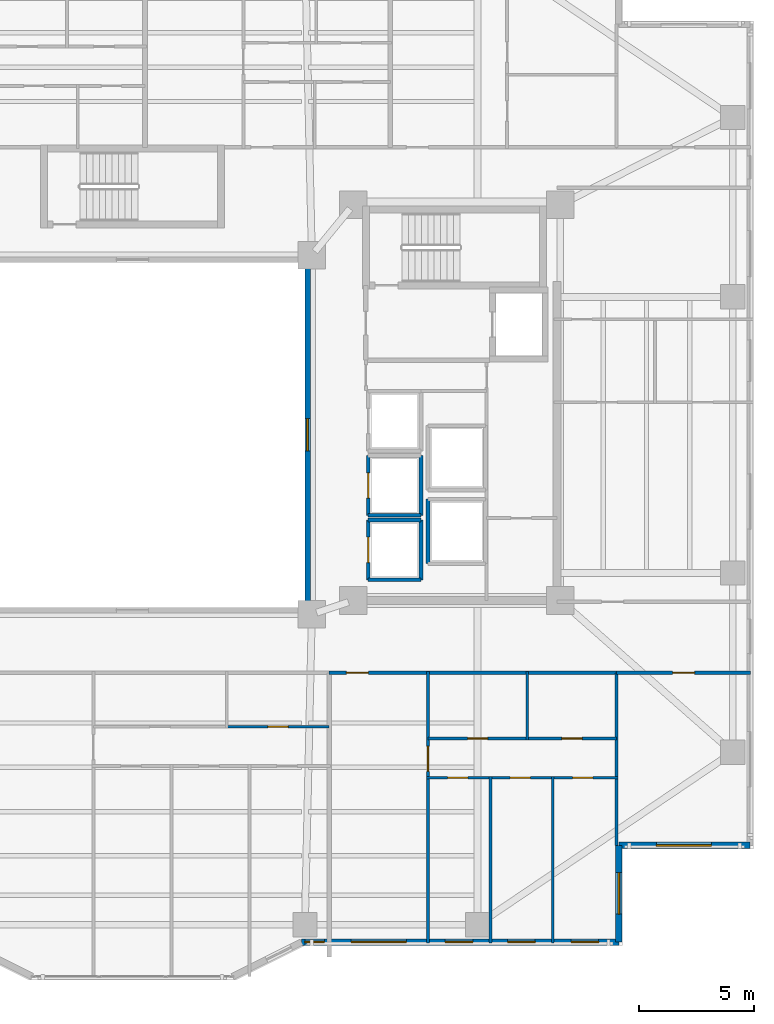
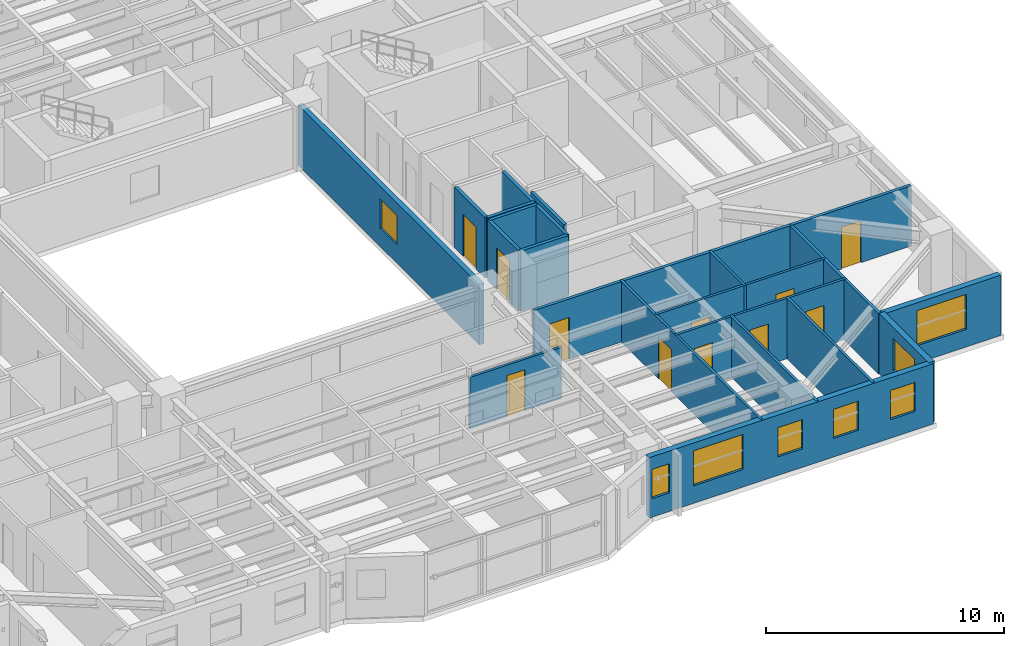
# One storey, part 8 of 19: 23 walls, 11 doors, 8 windows, 19 openings.
"""IFC4 building model written with IfcOpenShell, lengths in metres."""

from ifc_helpers import new_model, si_unit, direction, frame, frame_2d, origin, place, context, subcontext, project, spatial, rectangle, extrude, material, layer, layer_set, type_object, element, fill, save


model = new_model("IFC4")

# Units and contexts
model_context = context("Model", 3, precision=1e-05, world=origin(), true_north=direction((0.0, 1.0)))
body_context = subcontext(model_context, "Body", "Model", "MODEL_VIEW")
ifc_project = project(units=[si_unit("LENGTHUNIT", "METRE"), si_unit("AREAUNIT", "SQUARE_METRE"), si_unit("VOLUMEUNIT", "CUBIC_METRE"), si_unit("PLANEANGLEUNIT", "RADIAN"), si_unit("MASSUNIT", "GRAM", prefix="KILO")], contexts=[model_context])

# Site, building, storey
site_placement = place(None, origin())
site = spatial("IfcSite", under=ifc_project, at=site_placement, CompositionType="ELEMENT")
building_placement = place(site_placement, origin())
building = spatial("IfcBuilding", under=site, at=building_placement, Name="Tarnavaz Court Tower", CompositionType="ELEMENT")
storey_placement = place(building_placement, frame((0.0, 0.0, 81.64990234375)))
storey = spatial("IfcBuildingStorey", under=building, at=storey_placement, Name="L21", CompositionType="ELEMENT", Elevation=81.64990234375)

# Wall, opening, window
ifc_material_1 = material(Name="Precast Concrete C40/50", Category="concrete")
ifc_layer_1 = layer(ifc_material_1, 0.280029296875)
ifc_layer_set_1 = layer_set([ifc_layer_1], Name="Precast Concrete C40/50")
wall_type_1 = type_object("IfcWallType", Name="WL-EXT-280", PredefinedType="SOLIDWALL", material=ifc_layer_set_1)
wall_1_placement = place(storey_placement, frame((26.85009765625, -17.85009765625, 0.0), z_axis=(0.0, 0.0, 1.0), x_axis=(-1.0, 0.0, 0.0)))
wall_1 = element("IfcWall", 1, at=wall_1_placement, inside=storey, type_object=wall_type_1, Name="L21 Exterior Terracotta Facade Wall 13", PredefinedType="SOLIDWALL", context=body_context, shape_type="SweptSolid", body=[
    extrude(rectangle(XDim=5.7001953125, YDim=0.280029296875, at=frame_2d((2.85009765625, 0.0))), origin(), (0.0, 0.0, 1.0), 3.10009765625),
])
opening_1_placement = place(wall_1_placement, frame((1.675048828125, 0.0, 0.89990234375)))
opening_1 = element("IfcOpeningElement", 2, at=opening_1_placement, cuts=wall_1, Name="Opening W06", PredefinedType="OPENING", context=body_context, shape_type="SweptSolid", body=[
    extrude(rectangle(XDim=2.39990234375, YDim=1.800048828125, at=frame_2d((1.199951171875, 0.89990234375))), frame((0.0, 0.14990234375, 0.0), z_axis=(0.0, -1.0, 0.0), x_axis=(1.0, 0.0, 0.0)), (0.0, 0.0, 1.0), 0.300048828125),
])
ifc_material_2 = material(Name="Double-Glazed Solar Low-E Glass", Category="glass")
window_type_1 = type_object("IfcWindowType", Name="WN-APT-2400", PartitioningType="TRIPLE_PANEL_VERTICAL", PredefinedType="WINDOW", material=ifc_material_2)
window_1_placement = place(opening_1_placement, origin())
window_1 = element("IfcWindow", 3, at=window_1_placement, inside=storey, type_object=window_type_1, Name="L21 South-East Corner Reading Room Window", OverallHeight=1.800048828125, OverallWidth=2.39990234375, PartitioningType="SINGLE_PANEL", PredefinedType="WINDOW", context=body_context, shape_type="SweptSolid", body=[
    extrude(rectangle(XDim=2.39990234375, YDim=1.800048828125, at=frame_2d((1.199951171875, 0.89990234375))), frame((0.0, 0.030029296875, 0.0), z_axis=(0.0, -1.0, 0.0), x_axis=(1.0, 0.0, 0.0)), (0.0, 0.0, 1.0), 0.06005859375),
])
fill(opening_1, window_1)

wall_2_placement = place(storey_placement, frame((21.14990234375, -17.85009765625, 0.0), z_axis=(0.0, 0.0, 1.0), x_axis=(0.0, -1.0, 0.0)))
wall_2 = element("IfcWall", 4, at=wall_2_placement, inside=storey, type_object=wall_type_1, Name="L21 Exterior Terracotta Facade Wall 14", PredefinedType="SOLIDWALL", context=body_context, shape_type="SweptSolid", body=[
    extrude(rectangle(XDim=4.199951171875, YDim=0.280029296875, at=frame_2d((2.10009765625, 0.0))), origin(), (0.0, 0.0, 1.0), 3.10009765625),
])
opening_2_placement = place(wall_2_placement, frame((1.18212890625, 0.0, 0.89990234375)))
opening_2 = element("IfcOpeningElement", 5, at=opening_2_placement, cuts=wall_2, Name="Opening W01", PredefinedType="OPENING", context=body_context, shape_type="SweptSolid", body=[
    extrude(rectangle(XDim=1.800048828125, YDim=1.64990234375, at=frame_2d((0.89990234375, 0.824951171875))), frame((0.0, 0.14990234375, 0.0), z_axis=(0.0, -1.0, 0.0), x_axis=(1.0, 0.0, 0.0)), (0.0, 0.0, 1.0), 0.300048828125),
])
window_type_2 = type_object("IfcWindowType", Name="WN-APT-1800", PartitioningType="DOUBLE_PANEL_VERTICAL", PredefinedType="WINDOW", material=ifc_material_2)
window_2_placement = place(opening_2_placement, origin())
window_2 = element("IfcWindow", 6, at=window_2_placement, inside=storey, type_object=window_type_2, Name="L21 Flat 07 Bedroom 3 Window", OverallHeight=1.64990234375, OverallWidth=1.800048828125, PartitioningType="SINGLE_PANEL", PredefinedType="WINDOW", context=body_context, shape_type="SweptSolid", body=[
    extrude(rectangle(XDim=1.800048828125, YDim=1.64990234375, at=frame_2d((0.89990234375, 0.824951171875))), frame((0.0, 0.030029296875, 0.0), z_axis=(0.0, -1.0, 0.0), x_axis=(1.0, 0.0, 0.0)), (0.0, 0.0, 1.0), 0.06005859375),
])
fill(opening_2, window_2)

# Wall, openings, windows
wall_3_placement = place(storey_placement, frame((21.14990234375, -22.050048828125, 0.0), z_axis=(0.0, 0.0, 1.0), x_axis=(-1.0, 0.0, 0.0)))
wall_3 = element("IfcWall", 7, at=wall_3_placement, inside=storey, type_object=wall_type_1, Name="L21 Exterior Terracotta Facade Wall 15", PredefinedType="SOLIDWALL", context=body_context, shape_type="SweptSolid", body=[
    extrude(rectangle(XDim=13.7998046875, YDim=0.280029296875, at=frame_2d((6.89990234375, 0.0))), origin(), (0.0, 0.0, 1.0), 3.10009765625),
])
opening_3_placement = place(wall_3_placement, frame((0.88037109375, 0.0, 0.949951171875)))
opening_3 = element("IfcOpeningElement", 8, at=opening_3_placement, cuts=wall_3, Name="Opening W05", PredefinedType="OPENING", context=body_context, shape_type="SweptSolid", body=[
    extrude(rectangle(XDim=1.199951171875, YDim=1.5, at=frame_2d((0.60009765625, 0.75))), frame((0.0, 0.14990234375, 0.0), z_axis=(0.0, -1.0, 0.0), x_axis=(1.0, 0.0, 0.0)), (0.0, 0.0, 1.0), 0.300048828125),
])
opening_4_placement = place(wall_3_placement, frame((3.640380859375, 0.0, 0.949951171875)))
opening_4 = element("IfcOpeningElement", 9, at=opening_4_placement, cuts=wall_3, Name="Opening W05", PredefinedType="OPENING", context=body_context, shape_type="SweptSolid", body=[
    extrude(rectangle(XDim=1.199951171875, YDim=1.5, at=frame_2d((0.60009765625, 0.75))), frame((0.0, 0.14990234375, 0.0), z_axis=(0.0, -1.0, 0.0), x_axis=(1.0, 0.0, 0.0)), (0.0, 0.0, 1.0), 0.300048828125),
])
opening_5_placement = place(wall_3_placement, frame((6.35009765625, 0.0, 0.949951171875)))
opening_5 = element("IfcOpeningElement", 10, at=opening_5_placement, cuts=wall_3, Name="Opening W05", PredefinedType="OPENING", context=body_context, shape_type="SweptSolid", body=[
    extrude(rectangle(XDim=1.199951171875, YDim=1.5, at=frame_2d((0.60009765625, 0.75))), frame((0.0, 0.14990234375, 0.0), z_axis=(0.0, -1.0, 0.0), x_axis=(1.0, 0.0, 0.0)), (0.0, 0.0, 1.0), 0.300048828125),
])
opening_6_placement = place(wall_3_placement, frame((9.23779296875, 0.0, 0.89990234375)))
opening_6 = element("IfcOpeningElement", 11, at=opening_6_placement, cuts=wall_3, Name="Opening W06", PredefinedType="OPENING", context=body_context, shape_type="SweptSolid", body=[
    extrude(rectangle(XDim=2.39990234375, YDim=1.800048828125, at=frame_2d((1.199951171875, 0.89990234375))), frame((0.0, 0.14990234375, 0.0), z_axis=(0.0, -1.0, 0.0), x_axis=(1.0, 0.0, 0.0)), (0.0, 0.0, 1.0), 0.300048828125),
])
opening_7_placement = place(wall_3_placement, frame((12.802978515625, 0.0, 0.949951171875)))
opening_7 = element("IfcOpeningElement", 12, at=opening_7_placement, cuts=wall_3, Name="Opening W15", PredefinedType="OPENING", context=body_context, shape_type="SweptSolid", body=[
    extrude(rectangle(XDim=0.85009765625, YDim=1.5, at=frame_2d((0.425048828125, 0.75))), frame((0.0, 0.14990234375, 0.0), z_axis=(0.0, -1.0, 0.0), x_axis=(1.0, 0.0, 0.0)), (0.0, 0.0, 1.0), 0.300048828125),
])
window_type_3 = type_object("IfcWindowType", Name="WN-APT-1200", PartitioningType="SINGLE_PANEL", PredefinedType="WINDOW", material=ifc_material_2)
window_3_placement = place(opening_3_placement, origin())
window_3 = element("IfcWindow", 13, at=window_3_placement, inside=storey, type_object=window_type_3, Name="L21 Flat 07 Bedroom 3 Window", OverallHeight=1.5, OverallWidth=1.199951171875, PartitioningType="SINGLE_PANEL", PredefinedType="WINDOW", context=body_context, shape_type="SweptSolid", body=[
    extrude(rectangle(XDim=1.199951171875, YDim=1.5, at=frame_2d((0.60009765625, 0.75))), frame((0.0, 0.030029296875, 0.0), z_axis=(0.0, -1.0, 0.0), x_axis=(1.0, 0.0, 0.0)), (0.0, 0.0, 1.0), 0.06005859375),
])
fill(opening_3, window_3)
window_4_placement = place(opening_4_placement, origin())
window_4 = element("IfcWindow", 14, at=window_4_placement, inside=storey, type_object=window_type_3, Name="L21 Flat 07 Bedroom 2 Window", OverallHeight=1.5, OverallWidth=1.199951171875, PartitioningType="SINGLE_PANEL", PredefinedType="WINDOW", context=body_context, shape_type="SweptSolid", body=[
    extrude(rectangle(XDim=1.199951171875, YDim=1.5, at=frame_2d((0.60009765625, 0.75))), frame((0.0, 0.030029296875, 0.0), z_axis=(0.0, -1.0, 0.0), x_axis=(1.0, 0.0, 0.0)), (0.0, 0.0, 1.0), 0.06005859375),
])
fill(opening_4, window_4)
window_5_placement = place(opening_5_placement, origin())
window_5 = element("IfcWindow", 15, at=window_5_placement, inside=storey, type_object=window_type_3, Name="L21 Flat 07 Principal Bedroom Window", OverallHeight=1.5, OverallWidth=1.199951171875, PartitioningType="SINGLE_PANEL", PredefinedType="WINDOW", context=body_context, shape_type="SweptSolid", body=[
    extrude(rectangle(XDim=1.199951171875, YDim=1.5, at=frame_2d((0.60009765625, 0.75))), frame((0.0, 0.030029296875, 0.0), z_axis=(0.0, -1.0, 0.0), x_axis=(1.0, 0.0, 0.0)), (0.0, 0.0, 1.0), 0.06005859375),
])
fill(opening_5, window_5)
window_6_placement = place(opening_6_placement, origin())
window_6 = element("IfcWindow", 16, at=window_6_placement, inside=storey, type_object=window_type_1, Name="L21 Flat 07 Living and Dining Room Window", OverallHeight=1.800048828125, OverallWidth=2.39990234375, PartitioningType="SINGLE_PANEL", PredefinedType="WINDOW", context=body_context, shape_type="SweptSolid", body=[
    extrude(rectangle(XDim=2.39990234375, YDim=1.800048828125, at=frame_2d((1.199951171875, 0.89990234375))), frame((0.0, 0.030029296875, 0.0), z_axis=(0.0, -1.0, 0.0), x_axis=(1.0, 0.0, 0.0)), (0.0, 0.0, 1.0), 0.06005859375),
])
fill(opening_6, window_6)
window_type_4 = type_object("IfcWindowType", Name="WN-APT-850", PartitioningType="SINGLE_PANEL", PredefinedType="WINDOW", material=ifc_material_2)
window_7_placement = place(opening_7_placement, origin())
window_7 = element("IfcWindow", 17, at=window_7_placement, inside=storey, type_object=window_type_4, Name="L21 Flat 08 Bedroom 3 Window", OverallHeight=1.5, OverallWidth=0.85009765625, PartitioningType="SINGLE_PANEL", PredefinedType="WINDOW", context=body_context, shape_type="SweptSolid", body=[
    extrude(rectangle(XDim=0.85009765625, YDim=1.5, at=frame_2d((0.425048828125, 0.75))), frame((0.0, 0.030029296875, 0.0), z_axis=(0.0, -1.0, 0.0), x_axis=(1.0, 0.0, 0.0)), (0.0, 0.0, 1.0), 0.06005859375),
])
fill(opening_7, window_7)

# Wall, opening, door
ifc_material_3 = material(Name="Gypsum Fire-Board on Acoustic Metal Stud", Category="masonry")
ifc_layer_2 = layer(ifc_material_3, 0.14990234375)
ifc_layer_set_2 = layer_set([ifc_layer_2], Name="Gypsum Fire-Board on Acoustic Metal Stud")
wall_type_2 = type_object("IfcWallType", Name="WL-FIRE-150", PredefinedType="PARTITIONING", material=ifc_layer_set_2)
wall_4_placement = place(storey_placement, frame((8.550048828125, -10.35009765625, 0.0), z_axis=(0.0, 0.0, 1.0), x_axis=(1.0, 0.0, 0.0)))
wall_4 = element("IfcWall", 18, at=wall_4_placement, inside=storey, type_object=wall_type_2, Name="L21 SE Horseshoe Wall 074", PredefinedType="PARTITIONING", context=body_context, shape_type="SweptSolid", body=[
    extrude(rectangle(XDim=12.5, YDim=0.14990234375, at=frame_2d((6.25, 0.0))), origin(), (0.0, 0.0, 1.0), 3.10009765625),
])
opening_8_placement = place(wall_4_placement, frame((0.75, 0.0, 0.0)))
opening_8 = element("IfcOpeningElement", 19, at=opening_8_placement, cuts=wall_4, Name="Opening D06", PredefinedType="OPENING", context=body_context, shape_type="SweptSolid", body=[
    extrude(rectangle(XDim=0.9599609375, YDim=2.14990234375, at=frame_2d((0.47998046875, 1.074951171875))), frame((0.0, 0.0849609375, 0.0), z_axis=(0.0, -1.0, 0.0), x_axis=(1.0, 0.0, 0.0)), (0.0, 0.0, 1.0), 0.169921875),
])
ifc_material_4 = material(Name="Fire-Rated Hardwood Timber Core", Category="wood")
door_type_1 = type_object("IfcDoorType", Name="DR-FD60-950", OperationType="NOTDEFINED", PredefinedType="DOOR", material=ifc_material_4)
door_1_placement = place(opening_8_placement, origin())
door_1 = element("IfcDoor", 20, at=door_1_placement, inside=storey, type_object=door_type_1, Name="L21 Flat 07 Entrance Door", OperationType="SINGLE_SWING_LEFT", OverallHeight=2.14990234375, OverallWidth=0.9599609375, PredefinedType="DOOR", context=body_context, shape_type="SweptSolid", body=[
    extrude(rectangle(XDim=0.9599609375, YDim=2.14990234375, at=frame_2d((0.47998046875, 1.074951171875))), frame((0.0, 0.02490234375, 0.0), z_axis=(0.0, -1.0, 0.0), x_axis=(1.0, 0.0, 0.0)), (0.0, 0.0, 1.0), 0.050048828125),
])
fill(opening_8, door_1)

wall_5_placement = place(storey_placement, frame((21.050048828125, -10.35009765625, 0.0), z_axis=(0.0, 0.0, 1.0), x_axis=(1.0, 0.0, 0.0)))
wall_5 = element("IfcWall", 21, at=wall_5_placement, inside=storey, type_object=wall_type_2, Name="L21 Interior Partition 133", PredefinedType="PARTITIONING", context=body_context, shape_type="SweptSolid", body=[
    extrude(rectangle(XDim=5.829833984375, YDim=0.14990234375, at=frame_2d((2.9150390625, 0.0))), origin(), (0.0, 0.0, 1.0), 3.10009765625),
])
opening_9_placement = place(wall_5_placement, frame((2.43994140625, 0.0, 0.0)))
opening_9 = element("IfcOpeningElement", 22, at=opening_9_placement, cuts=wall_5, Name="Opening D13", PredefinedType="OPENING", context=body_context, shape_type="SweptSolid", body=[
    extrude(rectangle(XDim=0.949951171875, YDim=2.14990234375, at=frame_2d((0.47509765625, 1.074951171875))), frame((0.0, 0.0849609375, 0.0), z_axis=(0.0, -1.0, 0.0), x_axis=(1.0, 0.0, 0.0)), (0.0, 0.0, 1.0), 0.169921875),
])
ifc_material_5 = material(Name="Engineered Oak Timber", Category="wood")
door_type_2 = type_object("IfcDoorType", Name="DR-INT-950", OperationType="NOTDEFINED", PredefinedType="DOOR", material=ifc_material_5)
door_2_placement = place(opening_9_placement, origin())
door_2 = element("IfcDoor", 23, at=door_2_placement, inside=storey, type_object=door_type_2, Name="L21 SE Reading Room Door", OperationType="SINGLE_SWING_RIGHT", OverallHeight=2.14990234375, OverallWidth=0.949951171875, PredefinedType="DOOR", context=body_context, shape_type="SweptSolid", body=[
    extrude(rectangle(XDim=0.949951171875, YDim=2.14990234375, at=frame_2d((0.47509765625, 1.074951171875))), frame((0.0, 0.02490234375, 0.0), z_axis=(0.0, -1.0, 0.0), x_axis=(1.0, 0.0, 0.0)), (0.0, 0.0, 1.0), 0.050048828125),
])
fill(opening_9, door_2)

ifc_material_6 = material(Name="Moisture-Resistant Gypsum Board Partition", Category="masonry")
ifc_layer_3 = layer(ifc_material_6, 0.1201171875)
ifc_layer_set_3 = layer_set([ifc_layer_3], Name="Moisture-Resistant Gypsum Board Partition")
wall_type_3 = type_object("IfcWallType", Name="WL-PART-120", PredefinedType="PARTITIONING", material=ifc_layer_set_3)
wall_6_placement = place(storey_placement, frame((12.85205078125, -22.10009765625, 0.0), z_axis=(0.0, 0.0, 1.0), x_axis=(0.0, 1.0, 0.0)))
wall_6 = element("IfcWall", 24, at=wall_6_placement, inside=storey, type_object=wall_type_3, Name="L21 Interior Partition 105", PredefinedType="PARTITIONING", context=body_context, shape_type="SweptSolid", body=[
    extrude(rectangle(XDim=11.81005859375, YDim=0.1201171875, at=frame_2d((5.905029296875, 0.0))), origin(), (0.0, 0.0, 1.0), 3.10009765625),
])
opening_10_placement = place(wall_6_placement, frame((7.47509765625, 0.0, 0.0)))
opening_10 = element("IfcOpeningElement", 25, at=opening_10_placement, cuts=wall_6, Name="Opening D12", PredefinedType="OPENING", context=body_context, shape_type="SweptSolid", body=[
    extrude(rectangle(XDim=1.080078125, YDim=2.14990234375, at=frame_2d((0.5400390625, 1.074951171875))), frame((0.0, 0.070068359375, 0.0), z_axis=(0.0, -1.0, 0.0), x_axis=(1.0, 0.0, 0.0)), (0.0, 0.0, 1.0), 0.14013671875),
])
door_type_3 = type_object("IfcDoorType", Name="DR-INT-1100", OperationType="NOTDEFINED", PredefinedType="DOOR", material=ifc_material_5)
door_3_placement = place(opening_10_placement, origin())
door_3 = element("IfcDoor", 26, at=door_3_placement, inside=storey, type_object=door_type_3, Name="L21 Flat 07 Foyer Door", OperationType="SINGLE_SWING_RIGHT", OverallHeight=2.14990234375, OverallWidth=1.080078125, PredefinedType="DOOR", context=body_context, shape_type="SweptSolid", body=[
    extrude(rectangle(XDim=1.080078125, YDim=2.14990234375, at=frame_2d((0.5400390625, 1.074951171875))), frame((0.0, 0.02490234375, 0.0), z_axis=(0.0, -1.0, 0.0), x_axis=(1.0, 0.0, 0.0)), (0.0, 0.0, 1.0), 0.050048828125),
])
fill(opening_10, door_3)

wall_7_placement = place(storey_placement, frame((12.85205078125, -13.199951171875, 0.0), z_axis=(0.0, 0.0, 1.0), x_axis=(1.0, 0.0, 0.0)))
wall_7 = element("IfcWall", 27, at=wall_7_placement, inside=storey, type_object=wall_type_3, Name="L21 Interior Partition 106", PredefinedType="PARTITIONING", context=body_context, shape_type="SweptSolid", body=[
    extrude(rectangle(XDim=4.31298828125, YDim=0.1201171875, at=frame_2d((2.156494140625, 0.0))), origin(), (0.0, 0.0, 1.0), 3.10009765625),
])
opening_11_placement = place(wall_7_placement, frame((1.716064453125, 0.0, 0.0)))
opening_11 = element("IfcOpeningElement", 28, at=opening_11_placement, cuts=wall_7, Name="Opening D14", PredefinedType="OPENING", context=body_context, shape_type="SweptSolid", body=[
    extrude(rectangle(XDim=0.8798828125, YDim=2.10009765625, at=frame_2d((0.43994140625, 1.050048828125))), frame((0.0, 0.070068359375, 0.0), z_axis=(0.0, -1.0, 0.0), x_axis=(1.0, 0.0, 0.0)), (0.0, 0.0, 1.0), 0.14013671875),
])
door_type_4 = type_object("IfcDoorType", Name="DR-INT-900", OperationType="NOTDEFINED", PredefinedType="DOOR", material=ifc_material_5)
door_4_placement = place(opening_11_placement, origin())
door_4 = element("IfcDoor", 29, at=door_4_placement, inside=storey, type_object=door_type_4, Name="L21 Flat 07 Kitchen Door", OperationType="SINGLE_SWING_LEFT", OverallHeight=2.10009765625, OverallWidth=0.8798828125, PredefinedType="DOOR", context=body_context, shape_type="SweptSolid", body=[
    extrude(rectangle(XDim=0.8798828125, YDim=2.10009765625, at=frame_2d((0.43994140625, 1.050048828125))), frame((0.0, 0.02490234375, 0.0), z_axis=(0.0, -1.0, 0.0), x_axis=(1.0, 0.0, 0.0)), (0.0, 0.0, 1.0), 0.050048828125),
])
fill(opening_11, door_4)

wall_8_placement = place(storey_placement, frame((17.1650390625, -13.199951171875, 0.0), z_axis=(0.0, 0.0, 1.0), x_axis=(1.0, 0.0, 0.0)))
wall_8 = element("IfcWall", 30, at=wall_8_placement, inside=storey, type_object=wall_type_3, Name="L21 Interior Partition 107", PredefinedType="PARTITIONING", context=body_context, shape_type="SweptSolid", body=[
    extrude(rectangle(XDim=3.885009765625, YDim=0.1201171875, at=frame_2d((1.9423828125, 0.0))), origin(), (0.0, 0.0, 1.0), 3.10009765625),
])
opening_12_placement = place(wall_8_placement, frame((1.5029296875, 0.0, 0.0)))
opening_12 = element("IfcOpeningElement", 31, at=opening_12_placement, cuts=wall_8, Name="Opening D14", PredefinedType="OPENING", context=body_context, shape_type="SweptSolid", body=[
    extrude(rectangle(XDim=0.8798828125, YDim=2.10009765625, at=frame_2d((0.43994140625, 1.050048828125))), frame((0.0, 0.070068359375, 0.0), z_axis=(0.0, -1.0, 0.0), x_axis=(1.0, 0.0, 0.0)), (0.0, 0.0, 1.0), 0.14013671875),
])
door_5_placement = place(opening_12_placement, origin())
door_5 = element("IfcDoor", 32, at=door_5_placement, inside=storey, type_object=door_type_4, Name="L21 Flat 07 Bathroom Door", OperationType="SINGLE_SWING_RIGHT", OverallHeight=2.10009765625, OverallWidth=0.8798828125, PredefinedType="DOOR", context=body_context, shape_type="SweptSolid", body=[
    extrude(rectangle(XDim=0.8798828125, YDim=2.10009765625, at=frame_2d((0.43994140625, 1.050048828125))), frame((0.0, 0.02490234375, 0.0), z_axis=(0.0, -1.0, 0.0), x_axis=(1.0, 0.0, 0.0)), (0.0, 0.0, 1.0), 0.050048828125),
])
fill(opening_12, door_5)

# Wall, openings, doors
wall_9_placement = place(storey_placement, frame((12.7919921875, -14.909912109375, 0.0), z_axis=(0.0, 0.0, 1.0), x_axis=(1.0, 0.0, 0.0)))
wall_9 = element("IfcWall", 33, at=wall_9_placement, inside=storey, type_object=wall_type_3, Name="L21 Interior Partition 108", PredefinedType="PARTITIONING", context=body_context, shape_type="SweptSolid", body=[
    extrude(rectangle(XDim=8.318115234375, YDim=0.1201171875, at=frame_2d((4.1591796875, 0.0))), origin(), (0.0, 0.0, 1.0), 3.10009765625),
])
opening_13_placement = place(wall_9_placement, frame((0.916015625, 0.0, 0.0)))
opening_13 = element("IfcOpeningElement", 34, at=opening_13_placement, cuts=wall_9, Name="Opening D14", PredefinedType="OPENING", context=body_context, shape_type="SweptSolid", body=[
    extrude(rectangle(XDim=0.8798828125, YDim=2.10009765625, at=frame_2d((0.43994140625, 1.050048828125))), frame((0.0, 0.070068359375, 0.0), z_axis=(0.0, -1.0, 0.0), x_axis=(1.0, 0.0, 0.0)), (0.0, 0.0, 1.0), 0.14013671875),
])
opening_14_placement = place(wall_9_placement, frame((3.62890625, 0.0, 0.0)))
opening_14 = element("IfcOpeningElement", 35, at=opening_14_placement, cuts=wall_9, Name="Opening D14", PredefinedType="OPENING", context=body_context, shape_type="SweptSolid", body=[
    extrude(rectangle(XDim=0.8798828125, YDim=2.10009765625, at=frame_2d((0.43994140625, 1.050048828125))), frame((0.0, 0.070068359375, 0.0), z_axis=(0.0, -1.0, 0.0), x_axis=(1.0, 0.0, 0.0)), (0.0, 0.0, 1.0), 0.14013671875),
])
opening_15_placement = place(wall_9_placement, frame((6.342041015625, 0.0, 0.0)))
opening_15 = element("IfcOpeningElement", 36, at=opening_15_placement, cuts=wall_9, Name="Opening D14", PredefinedType="OPENING", context=body_context, shape_type="SweptSolid", body=[
    extrude(rectangle(XDim=0.8798828125, YDim=2.10009765625, at=frame_2d((0.43994140625, 1.050048828125))), frame((0.0, 0.070068359375, 0.0), z_axis=(0.0, -1.0, 0.0), x_axis=(1.0, 0.0, 0.0)), (0.0, 0.0, 1.0), 0.14013671875),
])
door_6_placement = place(opening_13_placement, origin())
door_6 = element("IfcDoor", 37, at=door_6_placement, inside=storey, type_object=door_type_4, Name="L21 Flat 07 Bedroom 1 Door", OperationType="SINGLE_SWING_LEFT", OverallHeight=2.10009765625, OverallWidth=0.8798828125, PredefinedType="DOOR", context=body_context, shape_type="SweptSolid", body=[
    extrude(rectangle(XDim=0.8798828125, YDim=2.10009765625, at=frame_2d((0.43994140625, 1.050048828125))), frame((0.0, 0.02490234375, 0.0), z_axis=(0.0, -1.0, 0.0), x_axis=(1.0, 0.0, 0.0)), (0.0, 0.0, 1.0), 0.050048828125),
])
fill(opening_13, door_6)
door_7_placement = place(opening_14_placement, origin())
door_7 = element("IfcDoor", 38, at=door_7_placement, inside=storey, type_object=door_type_4, Name="L21 Flat 07 Bedroom 2 Door", OperationType="SINGLE_SWING_RIGHT", OverallHeight=2.10009765625, OverallWidth=0.8798828125, PredefinedType="DOOR", context=body_context, shape_type="SweptSolid", body=[
    extrude(rectangle(XDim=0.8798828125, YDim=2.10009765625, at=frame_2d((0.43994140625, 1.050048828125))), frame((0.0, 0.02490234375, 0.0), z_axis=(0.0, -1.0, 0.0), x_axis=(1.0, 0.0, 0.0)), (0.0, 0.0, 1.0), 0.050048828125),
])
fill(opening_14, door_7)
door_8_placement = place(opening_15_placement, origin())
door_8 = element("IfcDoor", 39, at=door_8_placement, inside=storey, type_object=door_type_4, Name="L21 Flat 07 Bedroom 3 Door", OperationType="SINGLE_SWING_LEFT", OverallHeight=2.10009765625, OverallWidth=0.8798828125, PredefinedType="DOOR", context=body_context, shape_type="SweptSolid", body=[
    extrude(rectangle(XDim=0.8798828125, YDim=2.10009765625, at=frame_2d((0.43994140625, 1.050048828125))), frame((0.0, 0.02490234375, 0.0), z_axis=(0.0, -1.0, 0.0), x_axis=(1.0, 0.0, 0.0)), (0.0, 0.0, 1.0), 0.050048828125),
])
fill(opening_15, door_8)

# Walls
wall_10_placement = place(storey_placement, frame((17.1650390625, -13.260009765625, 0.0), z_axis=(0.0, 0.0, 1.0), x_axis=(0.0, 1.0, 0.0)))
element("IfcWall", 40, at=wall_10_placement, inside=storey, type_object=wall_type_3, Name="L21 Interior Partition 109", PredefinedType="PARTITIONING", context=body_context, shape_type="SweptSolid", body=[
    extrude(rectangle(XDim=2.969970703125, YDim=0.1201171875, at=frame_2d((1.48486328125, 0.0))), origin(), (0.0, 0.0, 1.0), 3.10009765625),
])
for number, where, z_axis, x_axis, name in (
    (41, (15.56494140625, -22.10009765625, 0.0), (0.0, 0.0, 1.0), (0.0, 1.0, 0.0), "L21 Interior Partition 110"),
    (42, (18.277099609375, -22.10009765625, 0.0), (0.0, 0.0, 1.0), (0.0, 1.0, 0.0), "L21 Interior Partition 111"),
):
    element("IfcWall", number, at=place(storey_placement, frame(where, z_axis=z_axis, x_axis=x_axis)), inside=storey, type_object=wall_type_3, Name=name, PredefinedType="PARTITIONING", context=body_context, shape_type="SweptSolid", body=[
        extrude(rectangle(XDim=7.25, YDim=0.1201171875, at=frame_2d((3.625, 0.0))), origin(), (0.0, 0.0, 1.0), 3.10009765625),
    ])

# Wall, opening, door
wall_11_placement = place(storey_placement, frame((4.10400390625, -12.68994140625, 0.0), z_axis=(0.0, 0.0, 1.0), x_axis=(1.0, 0.0, 0.0)))
wall_11 = element("IfcWall", 43, at=wall_11_placement, inside=storey, type_object=wall_type_3, Name="L21 Interior Partition 117", PredefinedType="PARTITIONING", context=body_context, shape_type="SweptSolid", body=[
    extrude(rectangle(XDim=4.446044921875, YDim=0.1201171875, at=frame_2d((2.22314453125, 0.0))), origin(), (0.0, 0.0, 1.0), 2.635009765625),
])
opening_16_placement = place(wall_11_placement, frame((1.782958984375, 0.0, 0.0)))
opening_16 = element("IfcOpeningElement", 44, at=opening_16_placement, cuts=wall_11, Name="Opening D14", PredefinedType="OPENING", context=body_context, shape_type="SweptSolid", body=[
    extrude(rectangle(XDim=0.8798828125, YDim=2.10009765625, at=frame_2d((0.43994140625, 1.050048828125))), frame((0.0, 0.070068359375, 0.0), z_axis=(0.0, -1.0, 0.0), x_axis=(1.0, 0.0, 0.0)), (0.0, 0.0, 1.0), 0.14013671875),
])
door_9_placement = place(opening_16_placement, origin())
door_9 = element("IfcDoor", 45, at=door_9_placement, inside=storey, type_object=door_type_4, Name="L21 Flat 08 Bathroom Door", OperationType="SINGLE_SWING_LEFT", OverallHeight=2.10009765625, OverallWidth=0.8798828125, PredefinedType="DOOR", context=body_context, shape_type="SweptSolid", body=[
    extrude(rectangle(XDim=0.8798828125, YDim=2.10009765625, at=frame_2d((0.43994140625, 1.050048828125))), frame((0.0, 0.02490234375, 0.0), z_axis=(0.0, -1.0, 0.0), x_axis=(1.0, 0.0, 0.0)), (0.0, 0.0, 1.0), 0.050048828125),
])
fill(opening_16, door_9)

# Wall
ifc_material_7 = material(Name="Gypsum Plasterboard Acoustic Partition", Category="masonry")
ifc_layer_4 = layer(ifc_material_7, 0.139892578125)
ifc_layer_set_4 = layer_set([ifc_layer_4], Name="Gypsum Plasterboard Acoustic Partition")
wall_type_4 = type_object("IfcWallType", Name="WL-PART-150", PredefinedType="PARTITIONING", material=ifc_layer_set_4)
wall_12_placement = place(storey_placement, frame((21.050048828125, -17.85009765625, 0.0), z_axis=(0.0, 0.0, 1.0), x_axis=(0.0, 1.0, 0.0)))
element("IfcWall", 46, at=wall_12_placement, inside=storey, type_object=wall_type_4, Name="L21 Interior Partition 127", PredefinedType="PARTITIONING", context=body_context, shape_type="SweptSolid", body=[
    extrude(rectangle(XDim=7.5, YDim=0.139892578125, at=frame_2d((3.75, 0.0))), origin(), (0.0, 0.0, 1.0), 3.10009765625),
])

# Wall, opening, door
ifc_material_8 = material(Name="Autoclaved Aerated Concrete Blockwork", Category="masonry")
ifc_layer_5 = layer(ifc_material_8, 0.159912109375)
ifc_layer_set_5 = layer_set([ifc_layer_5], Name="Autoclaved Aerated Concrete Blockwork")
wall_type_5 = type_object("IfcWallType", Name="WL-SHAFT-150", PredefinedType="SOLIDWALL", material=ifc_layer_set_5)
wall_13_placement = place(storey_placement, frame((10.25, -6.300048828125, 0.0), z_axis=(0.0, 0.0, 1.0), x_axis=(0.0, 1.0, 0.0)))
wall_13 = element("IfcWall", 47, at=wall_13_placement, inside=storey, type_object=wall_type_5, Name="L21 Lift PL-M1 Shaft Wall 037", PredefinedType="SOLIDWALL", context=body_context, shape_type="SweptSolid", body=[
    extrude(rectangle(XDim=2.60009765625, YDim=0.159912109375, at=frame_2d((1.300048828125, 0.0))), origin(), (0.0, 0.0, 1.0), 3.10009765625),
])
opening_17_placement = place(wall_13_placement, frame((0.75, 0.0, 0.0)))
opening_17 = element("IfcOpeningElement", 48, at=opening_17_placement, cuts=wall_13, Name="Opening LD1", PredefinedType="OPENING", context=body_context, shape_type="SweptSolid", body=[
    extrude(rectangle(XDim=1.10009765625, YDim=2.14990234375, at=frame_2d((0.550048828125, 1.074951171875))), frame((0.0, 0.08984375, 0.0), z_axis=(0.0, -1.0, 0.0), x_axis=(1.0, 0.0, 0.0)), (0.0, 0.0, 1.0), 0.179931640625),
])
ifc_material_9 = material(Name="Stainless Steel", Category="steel")
door_type_5 = type_object("IfcDoorType", Name="DR-LD-1100", OperationType="NOTDEFINED", PredefinedType="DOOR", material=ifc_material_9)
door_10_placement = place(opening_17_placement, origin())
door_10 = element("IfcDoor", 49, at=door_10_placement, inside=storey, type_object=door_type_5, Name="L21 Lift Landing Door LD-PL-M1", OperationType="SLIDING_TO_LEFT", OverallHeight=2.14990234375, OverallWidth=1.10009765625, PredefinedType="DOOR", context=body_context, shape_type="SweptSolid", body=[
    extrude(rectangle(XDim=1.10009765625, YDim=2.14990234375, at=frame_2d((0.550048828125, 1.074951171875))), frame((0.0, 0.02490234375, 0.0), z_axis=(0.0, -1.0, 0.0), x_axis=(1.0, 0.0, 0.0)), (0.0, 0.0, 1.0), 0.050048828125),
])
fill(opening_17, door_10)

# Walls
wall_14_placement = place(storey_placement, frame((12.550048828125, -6.300048828125, 0.0), z_axis=(0.0, 0.0, 1.0), x_axis=(0.0, 1.0, 0.0)))
element("IfcWall", 50, at=wall_14_placement, inside=storey, type_object=wall_type_5, Name="L21 Lift PL-M1 Shaft Wall 038", PredefinedType="SOLIDWALL", context=body_context, shape_type="SweptSolid", body=[
    extrude(rectangle(XDim=2.60009765625, YDim=0.159912109375, at=frame_2d((1.300048828125, 0.0))), origin(), (0.0, 0.0, 1.0), 3.10009765625),
])
for number, where, z_axis, x_axis, name in (
    (51, (10.25, -6.300048828125, 0.0), (0.0, 0.0, 1.0), (1.0, 0.0, 0.0), "L21 Lift PL-M1 Shaft Wall 039"),
    (52, (10.25, -3.699951171875, 0.0), (0.0, 0.0, 1.0), (1.0, 0.0, 0.0), "L21 Lift PL-M1 Shaft Wall 040"),
):
    element("IfcWall", number, at=place(storey_placement, frame(where, z_axis=z_axis, x_axis=x_axis)), inside=storey, type_object=wall_type_5, Name=name, PredefinedType="SOLIDWALL", context=body_context, shape_type="SweptSolid", body=[
        extrude(rectangle(XDim=2.300048828125, YDim=0.159912109375, at=frame_2d((1.14990234375, 0.0))), origin(), (0.0, 0.0, 1.0), 3.10009765625),
    ])

# Wall, opening, door
wall_15_placement = place(storey_placement, frame((10.25, -3.5, 0.0), z_axis=(0.0, 0.0, 1.0), x_axis=(0.0, 1.0, 0.0)))
wall_15 = element("IfcWall", 53, at=wall_15_placement, inside=storey, type_object=wall_type_5, Name="L21 Lift PL-M2 Shaft Wall 041", PredefinedType="SOLIDWALL", context=body_context, shape_type="SweptSolid", body=[
    extrude(rectangle(XDim=2.60009765625, YDim=0.159912109375, at=frame_2d((1.300048828125, 0.0))), origin(), (0.0, 0.0, 1.0), 3.10009765625),
])
opening_18_placement = place(wall_15_placement, frame((0.75, 0.0, 0.0)))
opening_18 = element("IfcOpeningElement", 54, at=opening_18_placement, cuts=wall_15, Name="Opening LD1", PredefinedType="OPENING", context=body_context, shape_type="SweptSolid", body=[
    extrude(rectangle(XDim=1.10009765625, YDim=2.14990234375, at=frame_2d((0.550048828125, 1.074951171875))), frame((0.0, 0.08984375, 0.0), z_axis=(0.0, -1.0, 0.0), x_axis=(1.0, 0.0, 0.0)), (0.0, 0.0, 1.0), 0.179931640625),
])
door_11_placement = place(opening_18_placement, origin())
door_11 = element("IfcDoor", 55, at=door_11_placement, inside=storey, type_object=door_type_5, Name="L21 Lift Landing Door LD-PL-M2", OperationType="SLIDING_TO_LEFT", OverallHeight=2.14990234375, OverallWidth=1.10009765625, PredefinedType="DOOR", context=body_context, shape_type="SweptSolid", body=[
    extrude(rectangle(XDim=1.10009765625, YDim=2.14990234375, at=frame_2d((0.550048828125, 1.074951171875))), frame((0.0, 0.02490234375, 0.0), z_axis=(0.0, -1.0, 0.0), x_axis=(1.0, 0.0, 0.0)), (0.0, 0.0, 1.0), 0.050048828125),
])
fill(opening_18, door_11)

# Walls
wall_16_placement = place(storey_placement, frame((12.550048828125, -3.5, 0.0), z_axis=(0.0, 0.0, 1.0), x_axis=(0.0, 1.0, 0.0)))
element("IfcWall", 56, at=wall_16_placement, inside=storey, type_object=wall_type_5, Name="L21 Lift PL-M2 Shaft Wall 042", PredefinedType="SOLIDWALL", context=body_context, shape_type="SweptSolid", body=[
    extrude(rectangle(XDim=2.60009765625, YDim=0.159912109375, at=frame_2d((1.300048828125, 0.0))), origin(), (0.0, 0.0, 1.0), 3.10009765625),
])
wall_17_placement = place(storey_placement, frame((10.25, -3.5, 0.0), z_axis=(0.0, 0.0, 1.0), x_axis=(1.0, 0.0, 0.0)))
element("IfcWall", 57, at=wall_17_placement, inside=storey, type_object=wall_type_5, Name="L21 Lift PL-M2 Shaft Wall 043", PredefinedType="SOLIDWALL", context=body_context, shape_type="SweptSolid", body=[
    extrude(rectangle(XDim=2.300048828125, YDim=0.159912109375, at=frame_2d((1.14990234375, 0.0))), origin(), (0.0, 0.0, 1.0), 3.10009765625),
])
wall_18_placement = place(storey_placement, frame((12.85009765625, -5.60009765625, 0.0), z_axis=(0.0, 0.0, 1.0), x_axis=(0.0, 1.0, 0.0)))
element("IfcWall", 58, at=wall_18_placement, inside=storey, type_object=wall_type_5, Name="L21 Lift PL-OB1 Shaft Wall 049", PredefinedType="SOLIDWALL", context=body_context, shape_type="SweptSolid", body=[
    extrude(rectangle(XDim=2.800048828125, YDim=0.159912109375, at=frame_2d((1.39990234375, 0.0))), origin(), (0.0, 0.0, 1.0), 3.10009765625),
])

# Wall, opening, window
ifc_layer_6 = layer(ifc_material_1, 0.239990234375)
ifc_layer_set_6 = layer_set([ifc_layer_6], Name="Precast Concrete C40/50")
wall_type_6 = type_object("IfcWallType", Name="WL-WELL-240", PredefinedType="SOLIDWALL", material=ifc_layer_set_6)
wall_19_placement = place(storey_placement, frame((7.6201171875, -7.6201171875, 0.0), z_axis=(0.0, 0.0, 1.0), x_axis=(0.0, 1.0, 0.0)))
wall_19 = element("IfcWall", 59, at=wall_19_placement, inside=storey, type_object=wall_type_6, Name="L21 Badgir Light-Well Exterior Wall E", PredefinedType="SOLIDWALL", context=body_context, shape_type="SweptSolid", body=[
    extrude(rectangle(XDim=15.240234375, YDim=0.239990234375, at=frame_2d((7.6201171875, 0.0))), origin(), (0.0, 0.0, 1.0), 3.10009765625),
])
opening_19_placement = place(wall_19_placement, frame((6.919921875, 0.0, 0.949951171875)))
opening_19 = element("IfcOpeningElement", 60, at=opening_19_placement, cuts=wall_19, Name="Opening W13", PredefinedType="OPENING", context=body_context, shape_type="SweptSolid", body=[
    extrude(rectangle(XDim=1.39990234375, YDim=1.5, at=frame_2d((0.699951171875, 0.75))), frame((0.0, 0.1298828125, 0.0), z_axis=(0.0, -1.0, 0.0), x_axis=(1.0, 0.0, 0.0)), (0.0, 0.0, 1.0), 0.260009765625),
])
window_type_5 = type_object("IfcWindowType", Name="WN-WEL-1400", PartitioningType="SINGLE_PANEL", PredefinedType="WINDOW", material=ifc_material_2)
window_8_placement = place(opening_19_placement, origin())
window_8 = element("IfcWindow", 61, at=window_8_placement, inside=storey, type_object=window_type_5, Name="L21 Courtyard Gallery Window E", OverallHeight=1.5, OverallWidth=1.39990234375, PartitioningType="SINGLE_PANEL", PredefinedType="WINDOW", context=body_context, shape_type="SweptSolid", body=[
    extrude(rectangle(XDim=1.39990234375, YDim=1.5, at=frame_2d((0.699951171875, 0.75))), frame((0.0, 0.030029296875, 0.0), z_axis=(0.0, -1.0, 0.0), x_axis=(1.0, 0.0, 0.0)), (0.0, 0.0, 1.0), 0.06005859375),
])
fill(opening_19, window_8)

save(model, "model.ifc")
